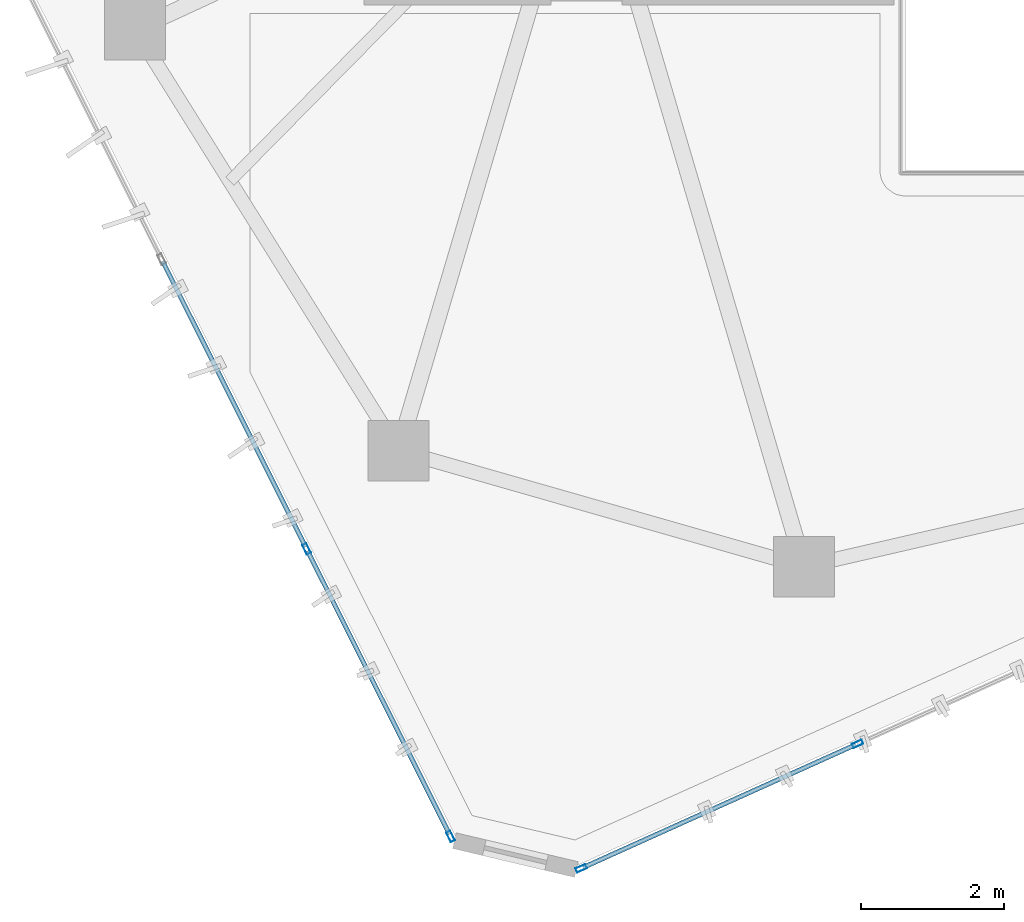
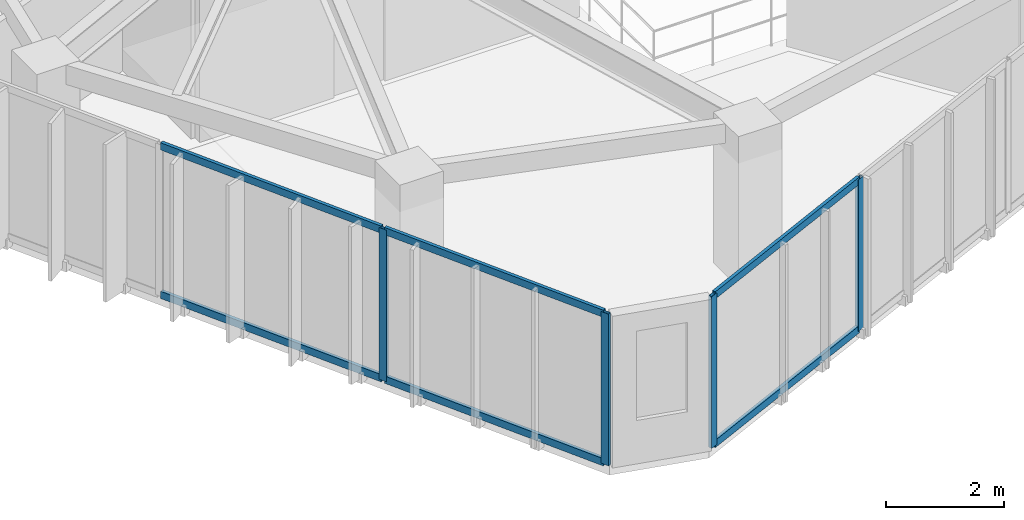
# One storey, part 2 of 21: 10 members, 2 elements without a shape of their own.
"""IFC4 building model written with IfcOpenShell, lengths in metres."""

from ifc_helpers import new_model, si_unit, direction, frame, origin, origin_2d, place, context, subcontext, project, spatial, hollow_rectangle, extrude, source, transform, mapped, material, layer, layer_set, material_profile, profile_set, type_object, type_shapes, element, aggregate, save


model = new_model("IFC4")

# Units and contexts
model_context = context("Model", 3, precision=1e-05, world=origin(), true_north=direction((0.0, 1.0)))
body_context = subcontext(model_context, "Body", "Model", "MODEL_VIEW")
ifc_project = project(units=[si_unit("LENGTHUNIT", "METRE"), si_unit("AREAUNIT", "SQUARE_METRE"), si_unit("VOLUMEUNIT", "CUBIC_METRE"), si_unit("PLANEANGLEUNIT", "RADIAN"), si_unit("MASSUNIT", "GRAM", prefix="KILO")], contexts=[model_context])

# Site, building, storey
site_placement = place(None, origin())
site = spatial("IfcSite", under=ifc_project, at=site_placement, CompositionType="ELEMENT")
building_placement = place(site_placement, origin())
building = spatial("IfcBuilding", under=site, at=building_placement, Name="Talar Marvaseh", CompositionType="ELEMENT")
storey_placement = place(building_placement, frame((0.0, 0.0, 271.39990234375)))
storey = spatial("IfcBuildingStorey", under=building, at=storey_placement, Name="L72", CompositionType="ELEMENT", Elevation=271.39990234375)

# Curtain wall, members
ifc_material = material(Name="Architectural Aluminium", Category="aluminium")
ifc_layer = layer(ifc_material, 0.179931640625)
ifc_layer_set = layer_set([ifc_layer], Name="Architectural Aluminium")
curtain_wall_type = type_object("IfcCurtainWallType", Name="Unitised High-Wind Sky Curtain Wall Z4", PredefinedType="NOTDEFINED", material=ifc_layer_set)
curtain_wall_1_placement = place(storey_placement, origin())
curtain_wall_1 = element("IfcCurtainWall", 1, at=curtain_wall_1_placement, inside=storey, type_object=curtain_wall_type, Name="L72 Unitised High-Wind Sky Curtain Wall Z4", PredefinedType="NOTDEFINED")
ifc_material_profile_1 = material_profile(ifc_material, hollow_rectangle(XDim=0.06494140625, YDim=0.14990234375, WallThickness=0.00390625, at=origin_2d()), Name="RHS150x65x4")
ifc_profile_set_1 = profile_set([ifc_material_profile_1], Name="Architectural Aluminium")
member_type_1 = type_object("IfcMemberType", Name="Unitised Curtain Wall Slim Transom RHS150x65x4", PredefinedType="USERDEFINED", material=ifc_profile_set_1)
shared_shape_1 = source(origin(), body_context, "Body", "SweptSolid", [
    extrude(hollow_rectangle(XDim=0.06494140625, YDim=0.14990234375, WallThickness=0.00390625, at=origin_2d()), origin(), (0.0, 0.0, 1.0), 4.447265625),
])
member_1_placement = place(storey_placement, frame((16.802490234375, 11.2841796875, 0.03271484375), z_axis=(-0.44767466018, 0.894196510076, 0.0), x_axis=(-0.894196510076, -0.44767466018, 0.0)))
member_1 = element("IfcMember", 2, at=member_1_placement, type_object=member_type_1, Name="CW-Z4 transom 1.1", ObjectType="TRANSOM", PredefinedType="USERDEFINED", context=body_context, shape_type="MappedRepresentation", body=[
    mapped(shared_shape_1, transform((0.0, 0.0, 0.0), x_axis=(1.0, 0.0, 0.0), y_axis=(0.0, 1.0, 0.0), z_axis=(0.0, 0.0, 1.0), scale=1.0)),
])
member_2_placement = place(storey_placement, frame((16.802490234375, 11.2841796875, 3.107666015625), z_axis=(-0.44767466018, 0.894196510076, 0.0), x_axis=(-0.894196510076, -0.44767466018, 0.0)))
member_2 = element("IfcMember", 3, at=member_2_placement, type_object=member_type_1, Name="CW-Z4 transom 1.2", ObjectType="TRANSOM", PredefinedType="USERDEFINED", context=body_context, shape_type="MappedRepresentation", body=[
    mapped(shared_shape_1, transform((0.0, 0.0, 0.0), x_axis=(1.0, 0.0, 0.0), y_axis=(0.0, 1.0, 0.0), z_axis=(0.0, 0.0, 1.0), scale=1.0)),
])
shared_shape_2 = source(origin(), body_context, "Body", "SweptSolid", [
    extrude(hollow_rectangle(XDim=0.06494140625, YDim=0.14990234375, WallThickness=0.00390625, at=origin_2d()), origin(), (0.0, 0.0, 1.0), 4.47998046875),
])
member_3_placement = place(storey_placement, frame((14.782470703125, 15.319091796875, 0.03271484375), z_axis=(-0.447693105083, 0.894187275497, 0.0), x_axis=(-0.894187275497, -0.447693105083, 0.0)))
member_3 = element("IfcMember", 4, at=member_3_placement, type_object=member_type_1, Name="CW-Z4 transom 2.1", ObjectType="TRANSOM", PredefinedType="USERDEFINED", context=body_context, shape_type="MappedRepresentation", body=[
    mapped(shared_shape_2, transform((0.0, 0.0, 0.0), x_axis=(1.0, 0.0, 0.0), y_axis=(0.0, 1.0, 0.0), z_axis=(0.0, 0.0, 1.0), scale=1.0)),
])
member_4_placement = place(storey_placement, frame((14.782470703125, 15.319091796875, 3.107666015625), z_axis=(-0.447693105083, 0.894187275497, 0.0), x_axis=(-0.894187275497, -0.447693105083, 0.0)))
member_4 = element("IfcMember", 5, at=member_4_placement, type_object=member_type_1, Name="CW-Z4 transom 2.2", ObjectType="TRANSOM", PredefinedType="USERDEFINED", context=body_context, shape_type="MappedRepresentation", body=[
    mapped(shared_shape_2, transform((0.0, 0.0, 0.0), x_axis=(1.0, 0.0, 0.0), y_axis=(0.0, 1.0, 0.0), z_axis=(0.0, 0.0, 1.0), scale=1.0)),
])

curtain_wall_2_placement = place(storey_placement, origin())
curtain_wall_2 = element("IfcCurtainWall", 6, at=curtain_wall_2_placement, inside=storey, type_object=curtain_wall_type, Name="L72 Unitised High-Wind Sky Curtain Wall Z4", PredefinedType="NOTDEFINED")
shared_shape_3 = source(origin(), body_context, "Body", "SweptSolid", [
    extrude(hollow_rectangle(XDim=0.06494140625, YDim=0.14990234375, WallThickness=0.00390625, at=origin_2d()), origin(), (0.0, 0.0, 1.0), 4.188720703125),
])
type_shapes(member_type_1, [shared_shape_1, shared_shape_2, shared_shape_3])
member_5_placement = place(storey_placement, frame((22.4990234375, 12.541015625, 0.03271484375), z_axis=(-0.911679243459, -0.410902612606, 0.0), x_axis=(0.410902612606, -0.911679243459, 0.0)))
member_5 = element("IfcMember", 7, at=member_5_placement, type_object=member_type_1, Name="CW-Z4 transom 4.1", ObjectType="TRANSOM", PredefinedType="USERDEFINED", context=body_context, shape_type="MappedRepresentation", body=[
    mapped(shared_shape_3, transform((0.0, 0.0, 0.0), x_axis=(1.0, 0.0, 0.0), y_axis=(0.0, 1.0, 0.0), z_axis=(0.0, 0.0, 1.0), scale=1.0)),
])
member_6_placement = place(storey_placement, frame((22.4990234375, 12.541015625, 3.107666015625), z_axis=(-0.911679243459, -0.410902612606, 0.0), x_axis=(0.410902612606, -0.911679243459, 0.0)))
member_6 = element("IfcMember", 8, at=member_6_placement, type_object=member_type_1, Name="CW-Z4 transom 4.2", ObjectType="TRANSOM", PredefinedType="USERDEFINED", context=body_context, shape_type="MappedRepresentation", body=[
    mapped(shared_shape_3, transform((0.0, 0.0, 0.0), x_axis=(1.0, 0.0, 0.0), y_axis=(0.0, 1.0, 0.0), z_axis=(0.0, 0.0, 1.0), scale=1.0)),
])

# Member
ifc_material_profile_2 = material_profile(ifc_material, hollow_rectangle(XDim=0.06494140625, YDim=0.14990234375, WallThickness=0.00390625, at=origin_2d()), Name="RHS150x65x4")
ifc_profile_set_2 = profile_set([ifc_material_profile_2], Name="Architectural Aluminium")
member_type_2 = type_object("IfcMemberType", Name="Unitised Curtain Wall Slim Mullion RHS150x65x4", PredefinedType="MULLION", material=ifc_profile_set_2)
shared_shape_4 = source(origin(), body_context, "Body", "SweptSolid", [
    extrude(hollow_rectangle(XDim=0.06494140625, YDim=0.14990234375, WallThickness=0.00390625, at=origin_2d()), origin(), (0.0, 0.0, 1.0), 3.14013671875),
])
type_shapes(member_type_2, [shared_shape_4])
member_7_placement = place(storey_placement, frame((16.817138671875, 11.255126953125, 0.0), z_axis=(0.0, 0.0, 1.0), x_axis=(-0.894186499617, -0.447694654763, 0.0)))
member_7 = element("IfcMember", 9, at=member_7_placement, type_object=member_type_2, Name="CW-Z4 mullion 1", PredefinedType="MULLION", context=body_context, shape_type="MappedRepresentation", body=[
    mapped(shared_shape_4, transform((0.0, 0.0, 0.0), x_axis=(1.0, 0.0, 0.0), y_axis=(0.0, 1.0, 0.0), z_axis=(0.0, 0.0, 1.0), scale=1.0)),
])

member_8_placement = place(storey_placement, frame((14.796875, 15.2900390625, 0.0), z_axis=(0.0, 0.0, 1.0), x_axis=(-0.894186499617, -0.447694654763, 0.0)))
member_8 = element("IfcMember", 10, at=member_8_placement, type_object=member_type_2, Name="CW-Z4 mullion 2", PredefinedType="MULLION", context=body_context, shape_type="MappedRepresentation", body=[
    mapped(shared_shape_4, transform((0.0, 0.0, 0.0), x_axis=(1.0, 0.0, 0.0), y_axis=(0.0, 1.0, 0.0), z_axis=(0.0, 0.0, 1.0), scale=1.0)),
])

aggregate(curtain_wall_1, [member_7, member_8, member_1, member_2, member_3, member_4])

member_9_placement = place(storey_placement, frame((22.528564453125, 12.55419921875, 0.0), z_axis=(0.0, 0.0, 1.0), x_axis=(0.410859599187, -0.9116986288, 0.0)))
member_9 = element("IfcMember", 11, at=member_9_placement, type_object=member_type_2, Name="CW-Z4 mullion 4", PredefinedType="MULLION", context=body_context, shape_type="MappedRepresentation", body=[
    mapped(shared_shape_4, transform((0.0, 0.0, 0.0), x_axis=(1.0, 0.0, 0.0), y_axis=(0.0, 1.0, 0.0), z_axis=(0.0, 0.0, 1.0), scale=1.0)),
])

member_10_placement = place(storey_placement, frame((18.650390625, 10.806640625, 0.0), z_axis=(0.0, 0.0, 1.0), x_axis=(0.410859599187, -0.9116986288, 0.0)))
member_10 = element("IfcMember", 12, at=member_10_placement, type_object=member_type_2, Name="CW-Z4 mullion 5", PredefinedType="MULLION", context=body_context, shape_type="MappedRepresentation", body=[
    mapped(shared_shape_4, transform((0.0, 0.0, 0.0), x_axis=(1.0, 0.0, 0.0), y_axis=(0.0, 1.0, 0.0), z_axis=(0.0, 0.0, 1.0), scale=1.0)),
])

aggregate(curtain_wall_2, [member_9, member_10, member_5, member_6])

save(model, "model.ifc")
